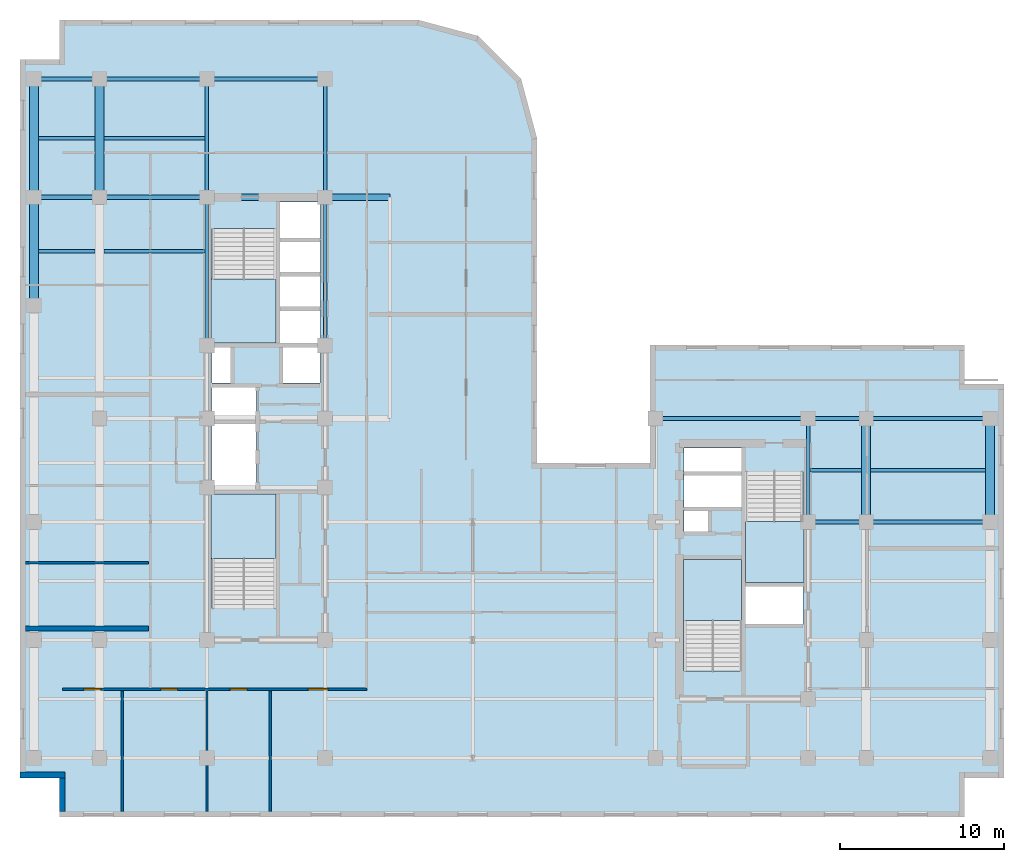
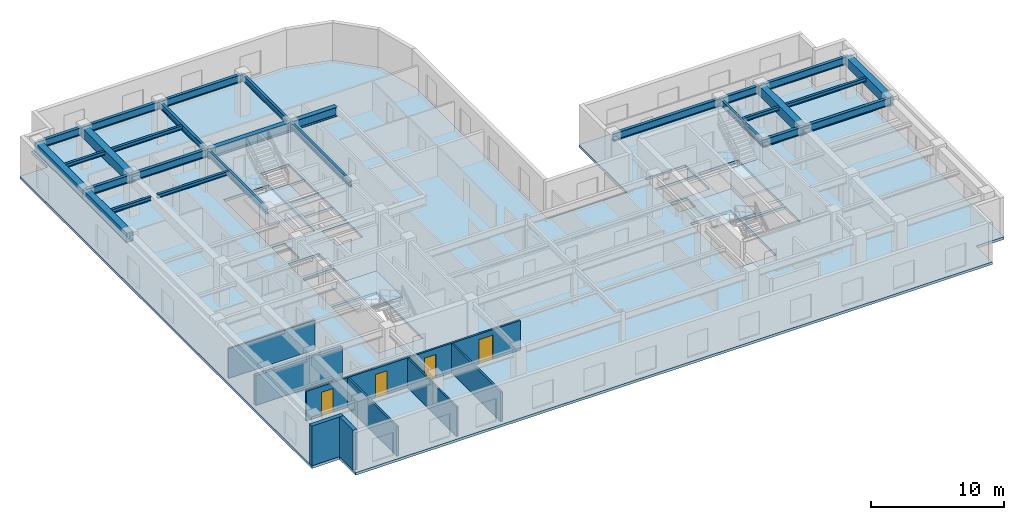
# One storey, part 3 of 11: 27 beams, 8 walls, 5 slabs, 4 doors, 4 openings, 4 elements without a shape of their own.
"""IFC4 building model written with IfcOpenShell, lengths in metres."""

from ifc_helpers import new_model, entity, si_unit, converted_unit, direction, frame, origin_with_axes, origin_2d_with_axis, place, context, subcontext, project, spatial, polyline, rectangle, i_section, outline, extrude, material, layer, layer_set, material_profile, profile_set, type_object, element, fill, aggregate, save


model = new_model("IFC4")

# Units and contexts
model_context = context("Model", 3, precision=1e-05, world=origin_with_axes(), true_north=direction((0.0, 1.0)))
body_context = subcontext(model_context, "Body", "Model", "MODEL_VIEW")
ifc_project = project(units=[si_unit("LENGTHUNIT", "METRE"), si_unit("AREAUNIT", "SQUARE_METRE"), si_unit("VOLUMEUNIT", "CUBIC_METRE"), converted_unit("PLANEANGLEUNIT", "DEGREE", entity("IfcPlaneAngleMeasure", 0.017453292519943295), si_unit("PLANEANGLEUNIT", "RADIAN"), dimensions=[0, 0, 0, 0, 0, 0, 0]), si_unit("MASSUNIT", "GRAM", prefix="KILO"), si_unit("THERMODYNAMICTEMPERATUREUNIT", "KELVIN")], contexts=[model_context])

# Site, building, storey
site_placement = place(None, origin_with_axes())
site = spatial("IfcSite", under=ifc_project, at=site_placement, CompositionType="ELEMENT")
building_placement = place(site_placement, origin_with_axes())
building = spatial("IfcBuilding", under=site, at=building_placement, Name="Varnlund Millrace Tower", CompositionType="ELEMENT")
storey_placement = place(building_placement, frame((0.0, 0.0, 212.1), z_axis=(0.0, 0.0, 1.0), x_axis=(1.0, 0.0, 0.0)))
storey = spatial("IfcBuildingStorey", under=building, at=storey_placement, Name="L52", CompositionType="ELEMENT", Elevation=212.1)

# Beams
ifc_material_1 = material(Name="Steel ASTM A992 Grade 50", Category="steel")
ifc_material_profile_1 = material_profile(ifc_material_1, i_section(OverallWidth=0.214, OverallDepth=0.549, WebThickness=0.0147, FlangeThickness=0.0236, FilletRadius=0.015, at=origin_2d_with_axis()), Name="Steel ASTM A992 Grade 50")
ifc_profile_set_1 = profile_set([ifc_material_profile_1], Name="Steel ASTM A992 Grade 50")
beam_type_1 = type_object("IfcBeamType", Name="Type-Beam-W21X93", PredefinedType="BEAM", material=ifc_profile_set_1)
beam_1_placement = place(storey_placement, frame((11.4, 28.75, 3.3855), z_axis=(0.0, 1.0, 0.0), x_axis=(-1.0, 0.0, 0.0)))
element("IfcBeam", 1, at=beam_1_placement, inside=storey, type_object=beam_type_1, Name="Type-Beam-W21X93", PredefinedType="BEAM", context=body_context, shape_type="SweptSolid", body=[
    extrude(i_section(OverallWidth=0.214, OverallDepth=0.549, WebThickness=0.0147, FlangeThickness=0.0236, FilletRadius=0.015, at=origin_2d_with_axis()), origin_with_axes(), (0.0, 0.0, 1.0), 9.05),
])
beam_2_placement = place(storey_placement, frame((11.4, 37.8, 3.3855), z_axis=(0.0, 1.0, 0.0), x_axis=(-1.0, 0.0, 0.0)))
element("IfcBeam", 2, at=beam_2_placement, inside=storey, type_object=beam_type_1, Name="Type-Beam-W21X93", PredefinedType="BEAM", context=body_context, shape_type="SweptSolid", body=[
    extrude(i_section(OverallWidth=0.214, OverallDepth=0.549, WebThickness=0.0147, FlangeThickness=0.0236, FilletRadius=0.015, at=origin_2d_with_axis()), origin_with_axes(), (0.0, 0.0, 1.0), 7.2),
])
beam_3_placement = place(storey_placement, frame((18.6, 28.75, 3.3855), z_axis=(0.0, 1.0, 0.0), x_axis=(-1.0, 0.0, 0.0)))
element("IfcBeam", 3, at=beam_3_placement, inside=storey, type_object=beam_type_1, Name="Type-Beam-W21X93", PredefinedType="BEAM", context=body_context, shape_type="SweptSolid", body=[
    extrude(i_section(OverallWidth=0.214, OverallDepth=0.549, WebThickness=0.0147, FlangeThickness=0.0236, FilletRadius=0.015, at=origin_2d_with_axis()), origin_with_axes(), (0.0, 0.0, 1.0), 9.05),
])
beam_4_placement = place(storey_placement, frame((18.6, 37.8, 3.3855), z_axis=(0.0, 1.0, 0.0), x_axis=(-1.0, 0.0, 0.0)))
element("IfcBeam", 4, at=beam_4_placement, inside=storey, type_object=beam_type_1, Name="Type-Beam-W21X93", PredefinedType="BEAM", context=body_context, shape_type="SweptSolid", body=[
    extrude(i_section(OverallWidth=0.214, OverallDepth=0.549, WebThickness=0.0147, FlangeThickness=0.0236, FilletRadius=0.015, at=origin_2d_with_axis()), origin_with_axes(), (0.0, 0.0, 1.0), 7.2),
])
beam_5_placement = place(storey_placement, frame((48.05, 18.0, 3.3855), z_axis=(0.0, 1.0, 0.0), x_axis=(-1.0, 0.0, 0.0)))
element("IfcBeam", 5, at=beam_5_placement, inside=storey, type_object=beam_type_1, Name="Type-Beam-W21X93", PredefinedType="BEAM", context=body_context, shape_type="SweptSolid", body=[
    extrude(i_section(OverallWidth=0.214, OverallDepth=0.549, WebThickness=0.0147, FlangeThickness=0.0236, FilletRadius=0.015, at=origin_2d_with_axis()), origin_with_axes(), (0.0, 0.0, 1.0), 6.3),
])
ifc_material_profile_2 = material_profile(ifc_material_1, i_section(OverallWidth=0.256, OverallDepth=0.693, WebThickness=0.0145, FlangeThickness=0.0236, FilletRadius=0.018, at=origin_2d_with_axis()), Name="Steel ASTM A992 Grade 50")
ifc_profile_set_2 = profile_set([ifc_material_profile_2], Name="Steel ASTM A992 Grade 50")
beam_type_2 = type_object("IfcBeamType", Name="Type-Girder-W27X114", PredefinedType="USERDEFINED", material=ifc_profile_set_2)
beam_6_placement = place(storey_placement, frame((48.05, 18.0, 3.3135), z_axis=(1.0, 0.0, 0.0), x_axis=(0.0, 1.0, 0.0)))
element("IfcBeam", 6, at=beam_6_placement, inside=storey, type_object=beam_type_2, Name="Type-Girder-W27X114", ObjectType="GIRDER", PredefinedType="USERDEFINED", context=body_context, shape_type="SweptSolid", body=[
    extrude(i_section(OverallWidth=0.256, OverallDepth=0.693, WebThickness=0.0145, FlangeThickness=0.0236, FilletRadius=0.018, at=origin_2d_with_axis()), origin_with_axes(), (0.0, 0.0, 1.0), 3.55),
])
beam_7_placement = place(storey_placement, frame((51.6, 18.0, 3.3135), z_axis=(1.0, 0.0, 0.0), x_axis=(0.0, 1.0, 0.0)))
element("IfcBeam", 7, at=beam_7_placement, inside=storey, type_object=beam_type_2, Name="Type-Girder-W27X114", ObjectType="GIRDER", PredefinedType="USERDEFINED", context=body_context, shape_type="SweptSolid", body=[
    extrude(i_section(OverallWidth=0.256, OverallDepth=0.693, WebThickness=0.0145, FlangeThickness=0.0236, FilletRadius=0.018, at=origin_2d_with_axis()), origin_with_axes(), (0.0, 0.0, 1.0), 7.55),
])
beam_8_placement = place(storey_placement, frame((38.75, 24.3, 3.3135), z_axis=(1.0, 0.0, 0.0), x_axis=(0.0, 1.0, 0.0)))
element("IfcBeam", 8, at=beam_8_placement, inside=storey, type_object=beam_type_2, Name="Type-Girder-W27X114", ObjectType="GIRDER", PredefinedType="USERDEFINED", context=body_context, shape_type="SweptSolid", body=[
    extrude(i_section(OverallWidth=0.256, OverallDepth=0.693, WebThickness=0.0145, FlangeThickness=0.0236, FilletRadius=0.018, at=origin_2d_with_axis()), origin_with_axes(), (0.0, 0.0, 1.0), 9.3),
])
beam_9_placement = place(storey_placement, frame((48.05, 24.3, 3.3135), z_axis=(1.0, 0.0, 0.0), x_axis=(0.0, 1.0, 0.0)))
element("IfcBeam", 9, at=beam_9_placement, inside=storey, type_object=beam_type_2, Name="Type-Girder-W27X114", ObjectType="GIRDER", PredefinedType="USERDEFINED", context=body_context, shape_type="SweptSolid", body=[
    extrude(i_section(OverallWidth=0.256, OverallDepth=0.693, WebThickness=0.0145, FlangeThickness=0.0236, FilletRadius=0.018, at=origin_2d_with_axis()), origin_with_axes(), (0.0, 0.0, 1.0), 3.55),
])
beam_10_placement = place(storey_placement, frame((51.6, 24.3, 3.3135), z_axis=(1.0, 0.0, 0.0), x_axis=(0.0, 1.0, 0.0)))
element("IfcBeam", 10, at=beam_10_placement, inside=storey, type_object=beam_type_2, Name="Type-Girder-W27X114", ObjectType="GIRDER", PredefinedType="USERDEFINED", context=body_context, shape_type="SweptSolid", body=[
    extrude(i_section(OverallWidth=0.256, OverallDepth=0.693, WebThickness=0.0145, FlangeThickness=0.0236, FilletRadius=0.018, at=origin_2d_with_axis()), origin_with_axes(), (0.0, 0.0, 1.0), 7.55),
])
beam_11_placement = place(storey_placement, frame((0.85, 37.8, 3.3135), z_axis=(1.0, 0.0, 0.0), x_axis=(0.0, 1.0, 0.0)))
element("IfcBeam", 11, at=beam_11_placement, inside=storey, type_object=beam_type_2, Name="Type-Girder-W27X114", ObjectType="GIRDER", PredefinedType="USERDEFINED", context=body_context, shape_type="SweptSolid", body=[
    extrude(i_section(OverallWidth=0.256, OverallDepth=0.693, WebThickness=0.0145, FlangeThickness=0.0236, FilletRadius=0.018, at=origin_2d_with_axis()), origin_with_axes(), (0.0, 0.0, 1.0), 4.0),
])
beam_12_placement = place(storey_placement, frame((4.85, 37.8, 3.3135), z_axis=(1.0, 0.0, 0.0), x_axis=(0.0, 1.0, 0.0)))
element("IfcBeam", 12, at=beam_12_placement, inside=storey, type_object=beam_type_2, Name="Type-Girder-W27X114", ObjectType="GIRDER", PredefinedType="USERDEFINED", context=body_context, shape_type="SweptSolid", body=[
    extrude(i_section(OverallWidth=0.256, OverallDepth=0.693, WebThickness=0.0145, FlangeThickness=0.0236, FilletRadius=0.018, at=origin_2d_with_axis()), origin_with_axes(), (0.0, 0.0, 1.0), 6.55),
])
beam_13_placement = place(storey_placement, frame((0.85, 45.0, 3.3135), z_axis=(1.0, 0.0, 0.0), x_axis=(0.0, 1.0, 0.0)))
element("IfcBeam", 13, at=beam_13_placement, inside=storey, type_object=beam_type_2, Name="Type-Girder-W27X114", ObjectType="GIRDER", PredefinedType="USERDEFINED", context=body_context, shape_type="SweptSolid", body=[
    extrude(i_section(OverallWidth=0.256, OverallDepth=0.693, WebThickness=0.0145, FlangeThickness=0.0236, FilletRadius=0.018, at=origin_2d_with_axis()), origin_with_axes(), (0.0, 0.0, 1.0), 4.0),
])
beam_14_placement = place(storey_placement, frame((4.85, 45.0, 3.3135), z_axis=(1.0, 0.0, 0.0), x_axis=(0.0, 1.0, 0.0)))
element("IfcBeam", 14, at=beam_14_placement, inside=storey, type_object=beam_type_2, Name="Type-Girder-W27X114", ObjectType="GIRDER", PredefinedType="USERDEFINED", context=body_context, shape_type="SweptSolid", body=[
    extrude(i_section(OverallWidth=0.256, OverallDepth=0.693, WebThickness=0.0145, FlangeThickness=0.0236, FilletRadius=0.018, at=origin_2d_with_axis()), origin_with_axes(), (0.0, 0.0, 1.0), 6.55),
])
beam_15_placement = place(storey_placement, frame((11.4, 45.0, 3.3135), z_axis=(1.0, 0.0, 0.0), x_axis=(0.0, 1.0, 0.0)))
element("IfcBeam", 15, at=beam_15_placement, inside=storey, type_object=beam_type_2, Name="Type-Girder-W27X114", ObjectType="GIRDER", PredefinedType="USERDEFINED", context=body_context, shape_type="SweptSolid", body=[
    extrude(i_section(OverallWidth=0.256, OverallDepth=0.693, WebThickness=0.0145, FlangeThickness=0.0236, FilletRadius=0.018, at=origin_2d_with_axis()), origin_with_axes(), (0.0, 0.0, 1.0), 7.2),
])
ifc_material_profile_3 = material_profile(ifc_material_1, i_section(OverallWidth=0.399, OverallDepth=0.855, WebThickness=0.0182, FlangeThickness=0.0292, FilletRadius=0.022, at=origin_2d_with_axis()), Name="Steel ASTM A992 Grade 50")
ifc_profile_set_3 = profile_set([ifc_material_profile_3], Name="Steel ASTM A992 Grade 50")
beam_type_3 = type_object("IfcBeamType", Name="Type-Girder-W33X201", PredefinedType="USERDEFINED", material=ifc_profile_set_3)
beam_16_placement = place(storey_placement, frame((11.4, 37.8, 3.2325), z_axis=(1.0, 0.0, 0.0), x_axis=(0.0, 1.0, 0.0)))
element("IfcBeam", 16, at=beam_16_placement, inside=storey, type_object=beam_type_3, Name="Type-Girder-W33X201", ObjectType="GIRDER", PredefinedType="USERDEFINED", context=body_context, shape_type="SweptSolid", body=[
    extrude(i_section(OverallWidth=0.399, OverallDepth=0.855, WebThickness=0.0182, FlangeThickness=0.0292, FilletRadius=0.022, at=origin_2d_with_axis()), origin_with_axes(), (0.0, 0.0, 1.0), 11.15),
])
ifc_material_profile_4 = material_profile(ifc_material_1, i_section(OverallWidth=0.204, OverallDepth=0.35, WebThickness=0.0086, FlangeThickness=0.0151, FilletRadius=0.013, at=origin_2d_with_axis()), Name="Steel ASTM A992 Grade 50")
ifc_profile_set_4 = profile_set([ifc_material_profile_4], Name="Steel ASTM A992 Grade 50")
beam_type_4 = type_object("IfcBeamType", Name="Type-Joist-W14X48", PredefinedType="JOIST", material=ifc_profile_set_4)
for number, where, z_axis, x_axis, name in (
    (17, (1.125, 34.5, 3.485), (1.0, 0.0, 0.0), (0.0, 1.0, 0.0), "Type-Joist-W14X48"),
    (18, (1.125, 41.4, 3.485), (1.0, 0.0, 0.0), (0.0, 1.0, 0.0), "Type-Joist-W14X48"),
):
    element("IfcBeam", number, at=place(storey_placement, frame(where, z_axis=z_axis, x_axis=x_axis)), inside=storey, type_object=beam_type_4, Name=name, PredefinedType="JOIST", context=body_context, shape_type="SweptSolid", body=[
        extrude(i_section(OverallWidth=0.204, OverallDepth=0.35, WebThickness=0.0086, FlangeThickness=0.0151, FilletRadius=0.013, at=origin_2d_with_axis()), origin_with_axes(), (0.0, 0.0, 1.0), 3.45),
    ])
for number, where, z_axis, x_axis, name in (
    (19, (5.125, 34.5, 3.485), (1.0, 0.0, 0.0), (0.0, 1.0, 0.0), "Type-Joist-W14X48"),
    (20, (5.125, 41.4, 3.485), (1.0, 0.0, 0.0), (0.0, 1.0, 0.0), "Type-Joist-W14X48"),
):
    element("IfcBeam", number, at=place(storey_placement, frame(where, z_axis=z_axis, x_axis=x_axis)), inside=storey, type_object=beam_type_4, Name=name, PredefinedType="JOIST", context=body_context, shape_type="SweptSolid", body=[
        extrude(i_section(OverallWidth=0.204, OverallDepth=0.35, WebThickness=0.0086, FlangeThickness=0.0151, FilletRadius=0.013, at=origin_2d_with_axis()), origin_with_axes(), (0.0, 0.0, 1.0), 6.168),
    ])
beam_17_placement = place(storey_placement, frame((48.157, 21.15, 3.485), z_axis=(1.0, 0.0, 0.0), x_axis=(0.0, 1.0, 0.0)))
element("IfcBeam", 21, at=beam_17_placement, inside=storey, type_object=beam_type_4, Name="Type-Joist-W14X48", PredefinedType="JOIST", context=body_context, shape_type="SweptSolid", body=[
    extrude(i_section(OverallWidth=0.204, OverallDepth=0.35, WebThickness=0.0086, FlangeThickness=0.0151, FilletRadius=0.013, at=origin_2d_with_axis()), origin_with_axes(), (0.0, 0.0, 1.0), 3.168),
])
beam_18_placement = place(storey_placement, frame((51.875, 21.15, 3.485), z_axis=(1.0, 0.0, 0.0), x_axis=(0.0, 1.0, 0.0)))
element("IfcBeam", 22, at=beam_18_placement, inside=storey, type_object=beam_type_4, Name="Type-Joist-W14X48", PredefinedType="JOIST", context=body_context, shape_type="SweptSolid", body=[
    extrude(i_section(OverallWidth=0.204, OverallDepth=0.35, WebThickness=0.0086, FlangeThickness=0.0151, FilletRadius=0.013, at=origin_2d_with_axis()), origin_with_axes(), (0.0, 0.0, 1.0), 7.0),
])
ifc_material_2 = material(Name="Concrete C60/75", Category="concrete")
ifc_material_profile_5 = material_profile(ifc_material_2, rectangle(XDim=0.55, YDim=0.85, at=origin_2d_with_axis()), Name="Concrete C60/75")
ifc_profile_set_5 = profile_set([ifc_material_profile_5], Name="Concrete C60/75")
beam_type_5 = type_object("IfcBeamType", Name="Type-Spandrel-RC550X850", PredefinedType="SPANDREL", material=ifc_profile_set_5)
beam_19_placement = place(storey_placement, frame((0.85, 31.2, 3.235), z_axis=(0.0, 1.0, 0.0), x_axis=(-1.0, 0.0, 0.0)))
element("IfcBeam", 23, at=beam_19_placement, inside=storey, type_object=beam_type_5, Name="Type-Spandrel-RC550X850", PredefinedType="SPANDREL", context=body_context, shape_type="SweptSolid", body=[
    extrude(rectangle(XDim=0.55, YDim=0.85, at=origin_2d_with_axis()), origin_with_axes(), (0.0, 0.0, 1.0), 6.6),
])
for number, where, z_axis, x_axis, name in (
    (24, (0.85, 37.8, 3.235), (0.0, 1.0, 0.0), (-1.0, 0.0, 0.0), "Type-Spandrel-RC550X850"),
    (25, (4.85, 37.8, 3.235), (0.0, 1.0, 0.0), (-1.0, 0.0, 0.0), "Type-Spandrel-RC550X850"),
):
    element("IfcBeam", number, at=place(storey_placement, frame(where, z_axis=z_axis, x_axis=x_axis)), inside=storey, type_object=beam_type_5, Name=name, PredefinedType="SPANDREL", context=body_context, shape_type="SweptSolid", body=[
        extrude(rectangle(XDim=0.55, YDim=0.85, at=origin_2d_with_axis()), origin_with_axes(), (0.0, 0.0, 1.0), 7.2),
    ])
for number, where, z_axis, x_axis, name in (
    (26, (51.6, 18.0, 3.235), (0.0, 1.0, 0.0), (-1.0, 0.0, 0.0), "Type-Spandrel-RC550X850"),
    (27, (59.15, 18.0, 3.235), (0.0, 1.0, 0.0), (-1.0, 0.0, 0.0), "Type-Spandrel-RC550X850"),
):
    element("IfcBeam", number, at=place(storey_placement, frame(where, z_axis=z_axis, x_axis=x_axis)), inside=storey, type_object=beam_type_5, Name=name, PredefinedType="SPANDREL", context=body_context, shape_type="SweptSolid", body=[
        extrude(rectangle(XDim=0.55, YDim=0.85, at=origin_2d_with_axis()), origin_with_axes(), (0.0, 0.0, 1.0), 6.3),
    ])

# Slab
ifc_layer_1 = layer(ifc_material_2, 0.24, Name="Concrete C60/75")
ifc_layer_set_1 = layer_set([ifc_layer_1], Name="Concrete C60/75")
slab_type_1 = type_object("IfcSlabType", Name="Type-Deck-Plate-Typical-240", PredefinedType="FLOOR", material=ifc_layer_set_1)
slab_1_placement = place(storey_placement, frame((0.0, 0.0, -0.24), z_axis=(0.0, 0.0, 1.0), x_axis=(1.0, 0.0, 0.0)))
element("IfcSlab", 28, at=slab_1_placement, inside=storey, type_object=slab_type_1, Name="Type-Deck-Plate-Typical-240", PredefinedType="FLOOR", context=body_context, shape_type="SweptSolid", body=[
    extrude(outline(polyline([(31.525, 21.6), (31.525, 41.4), (30.56, 45.0), (27.925, 47.635), (24.325, 48.6), (2.4, 48.6), (2.4, 46.2), (0.0, 46.2), (0.0, 2.4), (2.4, 2.4), (2.4, 0.0), (57.6, 0.0), (57.6, 2.4), (60.0, 2.4), (60.0, 26.4), (57.6, 26.4), (57.6, 28.8), (38.4, 28.8), (38.4, 21.6), (31.525, 21.6)]), holes=[polyline([(15.6, 12.715), (11.7, 12.715), (11.7, 19.7), (15.6, 19.7), (15.6, 12.715)]), polyline([(14.38, 23.98), (14.38, 19.94), (11.7, 19.94), (11.7, 23.98), (14.38, 23.98)]), polyline([(14.38, 24.24), (11.7, 24.24), (11.7, 26.2), (14.38, 26.2), (14.38, 24.24)]), polyline([(12.84, 26.46), (11.7, 26.46), (11.7, 28.65), (12.84, 28.65), (12.84, 26.46)]), polyline([(18.3, 28.9), (15.84, 28.9), (15.84, 30.98), (18.3, 30.98), (18.3, 28.9)]), polyline([(18.3, 31.02), (15.84, 31.02), (15.84, 33.08), (18.3, 33.08), (18.3, 31.02)]), polyline([(15.6, 28.9), (11.7, 28.9), (11.7, 35.885), (15.6, 35.885), (15.6, 28.9)]), polyline([(18.3, 33.12), (15.84, 33.12), (15.84, 35.18), (18.3, 35.18), (18.3, 33.12)]), polyline([(44.0, 8.915), (40.5, 8.915), (40.5, 15.7), (44.0, 15.7), (44.0, 8.915)]), polyline([(47.75, 11.74), (44.25, 11.74), (44.25, 14.06), (47.75, 14.06), (47.75, 11.74)]), polyline([(47.75, 14.3), (44.25, 14.3), (44.25, 21.085), (47.75, 21.085), (47.75, 14.3)]), polyline([(41.95, 17.42), (40.5, 17.42), (40.5, 18.72), (41.95, 18.72), (41.95, 17.42)]), polyline([(44.0, 18.88), (40.5, 18.88), (40.5, 20.94), (44.0, 20.94), (44.0, 18.88)]), polyline([(44.0, 21.0), (40.5, 21.0), (40.5, 22.5), (44.0, 22.5), (44.0, 21.0)]), polyline([(16.04, 26.46), (16.04, 28.65), (18.3, 28.65), (18.3, 26.46), (16.04, 26.46)]), polyline([(15.84, 35.22), (15.84, 37.5), (18.3, 37.5), (18.3, 35.22), (15.84, 35.22)])]), origin_with_axes(), (0.0, 0.0, 1.0), 0.24),
])

# Stair, slab
ifc_material_3 = material(Name="Concrete C50/60", Category="concrete")
stair_type_1 = type_object("IfcStairType", Name="Type-Stair-Dogleg-185-390", PredefinedType="HALF_TURN_STAIR", material=ifc_material_3)
stair_1_placement = place(storey_placement, origin_with_axes())
stair_1 = element("IfcStair", 29, at=stair_1_placement, inside=storey, type_object=stair_type_1, Name="Type-Stair-Dogleg-185-390", PredefinedType="HALF_TURN_STAIR")
ifc_layer_2 = layer(ifc_material_3, 0.2, Name="Concrete C50/60")
ifc_layer_set_2 = layer_set([ifc_layer_2], Name="Concrete C50/60")
slab_type_2 = type_object("IfcSlabType", Name="Type-StairLanding-200", PredefinedType="LANDING", material=ifc_layer_set_2)
slab_2_placement = place(storey_placement, frame((0.0, 0.0, 1.75), z_axis=(0.0, 0.0, 1.0), x_axis=(1.0, 0.0, 0.0)))
slab_2 = element("IfcSlab", 30, at=slab_2_placement, type_object=slab_type_2, Name="ST-A1 landing 1", PredefinedType="LANDING", context=body_context, shape_type="SweptSolid", body=[
    extrude(outline(polyline([(15.6, 15.78), (15.6, 19.7), (11.65, 19.7), (11.65, 15.78), (15.6, 15.78)])), origin_with_axes(), (0.0, 0.0, 1.0), 0.2),
])
aggregate(stair_1, [slab_2])

stair_2_placement = place(storey_placement, origin_with_axes())
stair_2 = element("IfcStair", 31, at=stair_2_placement, inside=storey, type_object=stair_type_1, Name="Type-Stair-Dogleg-185-390", PredefinedType="HALF_TURN_STAIR")
slab_3_placement = place(storey_placement, frame((0.0, 0.0, 1.75), z_axis=(0.0, 0.0, 1.0), x_axis=(1.0, 0.0, 0.0)))
slab_3 = element("IfcSlab", 32, at=slab_3_placement, type_object=slab_type_2, Name="ST-A2 landing 1", PredefinedType="LANDING", context=body_context, shape_type="SweptSolid", body=[
    extrude(outline(polyline([(11.65, 32.82), (11.65, 28.9), (15.6, 28.9), (15.6, 32.82), (11.65, 32.82)])), origin_with_axes(), (0.0, 0.0, 1.0), 0.2),
])
aggregate(stair_2, [slab_3])

stair_type_2 = type_object("IfcStairType", Name="Type-Stair-Dogleg-165-390", PredefinedType="HALF_TURN_STAIR", material=ifc_material_3)
stair_3_placement = place(storey_placement, origin_with_axes())
stair_3 = element("IfcStair", 33, at=stair_3_placement, inside=storey, type_object=stair_type_2, Name="Type-Stair-Dogleg-165-390", PredefinedType="HALF_TURN_STAIR")
slab_4_placement = place(storey_placement, frame((0.0, 0.0, 1.75), z_axis=(0.0, 0.0, 1.0), x_axis=(1.0, 0.0, 0.0)))
slab_4 = element("IfcSlab", 34, at=slab_4_placement, type_object=slab_type_2, Name="ST-B1 landing 1", PredefinedType="LANDING", context=body_context, shape_type="SweptSolid", body=[
    extrude(outline(polyline([(44.0, 11.98), (44.0, 15.7), (40.45, 15.7), (40.45, 11.98), (44.0, 11.98)])), origin_with_axes(), (0.0, 0.0, 1.0), 0.2),
])
aggregate(stair_3, [slab_4])

stair_4_placement = place(storey_placement, origin_with_axes())
stair_4 = element("IfcStair", 35, at=stair_4_placement, inside=storey, type_object=stair_type_2, Name="Type-Stair-Dogleg-165-390", PredefinedType="HALF_TURN_STAIR")
slab_5_placement = place(storey_placement, frame((0.0, 0.0, 1.75), z_axis=(0.0, 0.0, 1.0), x_axis=(1.0, 0.0, 0.0)))
slab_5 = element("IfcSlab", 36, at=slab_5_placement, type_object=slab_type_2, Name="ST-B2 landing 1", PredefinedType="LANDING", context=body_context, shape_type="SweptSolid", body=[
    extrude(outline(polyline([(44.25, 18.02), (44.25, 14.3), (47.8, 14.3), (47.8, 18.02), (44.25, 18.02)])), origin_with_axes(), (0.0, 0.0, 1.0), 0.2),
])
aggregate(stair_4, [slab_5])

# Walls
ifc_material_4 = material(Name="Precast concrete C50/60", Category="concrete")
ifc_layer_3 = layer(ifc_material_4, 0.34, Name="Precast concrete C50/60")
ifc_layer_set_3 = layer_set([ifc_layer_3], Name="Precast concrete C50/60")
wall_type_1 = type_object("IfcWallType", Name="Type-ExtWall-Precast-Upper-340", PredefinedType="SOLIDWALL", material=ifc_layer_set_3)
wall_1_placement = place(storey_placement, frame((2.57, 0.34, 0.0), z_axis=(0.0, 0.0, 1.0), x_axis=(0.0, 1.0, 0.0)))
element("IfcWall", 37, at=wall_1_placement, inside=storey, type_object=wall_type_1, Name="Type-ExtWall-Precast-Upper-340", PredefinedType="SOLIDWALL", context=body_context, shape_type="SweptSolid", body=[
    extrude(outline(polyline([(0.0, -0.17), (2.06, -0.17), (2.06, 0.17), (0.0, 0.17), (0.0, -0.17)])), origin_with_axes(), (0.0, 0.0, 1.0), 3.66),
])
wall_2_placement = place(storey_placement, frame((2.74, 2.57, 0.0), z_axis=(0.0, 0.0, 1.0), x_axis=(-1.0, 0.0, 0.0)))
element("IfcWall", 38, at=wall_2_placement, inside=storey, type_object=wall_type_1, Name="Type-ExtWall-Precast-Upper-340", PredefinedType="SOLIDWALL", context=body_context, shape_type="SweptSolid", body=[
    extrude(outline(polyline([(0.0, -0.17), (2.74, -0.17), (2.74, 0.17), (0.0, 0.17), (0.0, -0.17)])), origin_with_axes(), (0.0, 0.0, 1.0), 3.66),
])
ifc_material_5 = material(Name="Double-stud STC-60 conference acoustic partition", Category="gypsum")
ifc_layer_4 = layer(ifc_material_5, 0.28, Name="Double-stud STC-60 conference acoustic partition")
ifc_layer_set_4 = layer_set([ifc_layer_4], Name="Double-stud STC-60 conference acoustic partition")
wall_type_2 = type_object("IfcWallType", Name="Type-Partition-Acoustic-280", PredefinedType="PARTITIONING", material=ifc_layer_set_4)
wall_3_placement = place(storey_placement, frame((0.335, 11.499, 0.0), z_axis=(0.0, 0.0, 1.0), x_axis=(1.0, 0.0, 0.0)))
element("IfcWall", 39, at=wall_3_placement, inside=storey, type_object=wall_type_2, Name="Type-Partition-Acoustic-280", PredefinedType="PARTITIONING", context=body_context, shape_type="SweptSolid", body=[
    extrude(outline(polyline([(0.0, -0.14), (7.495, -0.14), (7.495, 0.14), (0.0, 0.14), (0.0, -0.14)])), origin_with_axes(), (0.0, 0.0, 1.0), 2.7),
])

# Wall, openings, doors
ifc_material_6 = material(Name="Fire-rated gypsum board on cold-formed steel framing", Category="steel")
ifc_layer_5 = layer(ifc_material_6, 0.16, Name="Fire-rated gypsum board on cold-formed steel framing")
ifc_layer_set_5 = layer_set([ifc_layer_5], Name="Fire-rated gypsum board on cold-formed steel framing")
wall_type_3 = type_object("IfcWallType", Name="Type-Partition-Corridor-160", PredefinedType="PARTITIONING", material=ifc_layer_set_5)
wall_4_placement = place(storey_placement, frame((2.6, 7.8, 0.0), z_axis=(0.0, 0.0, 1.0), x_axis=(1.0, 0.0, 0.0)))
wall_4 = element("IfcWall", 40, at=wall_4_placement, inside=storey, type_object=wall_type_3, Name="Type-Partition-Corridor-160", PredefinedType="PARTITIONING", context=body_context, shape_type="SweptSolid", body=[
    extrude(outline(polyline([(0.0, -0.08), (18.55, -0.08), (18.55, 0.08), (0.0, 0.08), (0.0, -0.08)])), origin_with_axes(), (0.0, 0.0, 1.0), 2.7),
])
opening_1_placement = place(wall_4_placement, frame((1.8175, 0.0, 0.0), z_axis=(0.0, 0.0, 1.0), x_axis=(1.0, 0.0, 0.0)))
opening_1 = element("IfcOpeningElement", 41, at=opening_1_placement, cuts=wall_4, Name="Opening L52:DR-WAS-01", PredefinedType="OPENING", context=body_context, shape_type="SweptSolid", body=[
    extrude(rectangle(XDim=1.0, YDim=0.18, at=origin_2d_with_axis()), origin_with_axes(), (0.0, 0.0, 1.0), 2.15),
])
opening_2_placement = place(wall_4_placement, frame((6.503, 0.0, 0.0), z_axis=(0.0, 0.0, 1.0), x_axis=(1.0, 0.0, 0.0)))
opening_2 = element("IfcOpeningElement", 42, at=opening_2_placement, cuts=wall_4, Name="Opening L52:DR-WAS-02", PredefinedType="OPENING", context=body_context, shape_type="SweptSolid", body=[
    extrude(rectangle(XDim=1.0, YDim=0.18, at=origin_2d_with_axis()), origin_with_axes(), (0.0, 0.0, 1.0), 2.15),
])
opening_3_placement = place(wall_4_placement, frame((10.728, 0.0, 0.0), z_axis=(0.0, 0.0, 1.0), x_axis=(1.0, 0.0, 0.0)))
opening_3 = element("IfcOpeningElement", 43, at=opening_3_placement, cuts=wall_4, Name="Opening L52:DR-WAS-03", PredefinedType="OPENING", context=body_context, shape_type="SweptSolid", body=[
    extrude(rectangle(XDim=1.0, YDim=0.18, at=origin_2d_with_axis()), origin_with_axes(), (0.0, 0.0, 1.0), 2.15),
])
opening_4_placement = place(wall_4_placement, frame((15.578, 0.0, 0.0), z_axis=(0.0, 0.0, 1.0), x_axis=(1.0, 0.0, 0.0)))
opening_4 = element("IfcOpeningElement", 44, at=opening_4_placement, cuts=wall_4, Name="Opening L52:DR-WAS-04", PredefinedType="OPENING", context=body_context, shape_type="SweptSolid", body=[
    extrude(rectangle(XDim=1.2, YDim=0.18, at=origin_2d_with_axis()), origin_with_axes(), (0.0, 0.0, 1.0), 2.2),
])
ifc_material_7 = material(Name="Wide executive white oak acoustic door")
door_type_1 = type_object("IfcDoorType", Name="Type-IntDoor-Exec-1200X2200", OperationType="NOTDEFINED", PredefinedType="DOOR", material=ifc_material_7)
door_1_placement = place(wall_4_placement, frame((15.578, 0.0, 0.0), z_axis=(0.0, 0.0, 1.0), x_axis=(1.0, 0.0, 0.0)))
door_1 = element("IfcDoor", 45, at=door_1_placement, inside=storey, type_object=door_type_1, Name="Type-IntDoor-Exec-1200X2200", OperationType="SINGLE_SWING_RIGHT", OverallHeight=2.2, OverallWidth=1.2, PredefinedType="DOOR", context=body_context, shape_type="SweptSolid", body=[
    extrude(rectangle(XDim=1.2, YDim=0.09, at=origin_2d_with_axis()), origin_with_axes(), (0.0, 0.0, 1.0), 2.2),
])
fill(opening_4, door_1)
ifc_material_8 = material(Name="Solid-core white oak and bronze frame door")
door_type_2 = type_object("IfcDoorType", Name="Type-IntDoor-Office-1000X2150", OperationType="NOTDEFINED", PredefinedType="DOOR", material=ifc_material_8)
door_2_placement = place(wall_4_placement, frame((1.8175, 0.0, 0.0), z_axis=(0.0, 0.0, 1.0), x_axis=(1.0, 0.0, 0.0)))
door_2 = element("IfcDoor", 46, at=door_2_placement, inside=storey, type_object=door_type_2, Name="Type-IntDoor-Office-1000X2150", OperationType="SINGLE_SWING_LEFT", OverallHeight=2.15, OverallWidth=1.0, PredefinedType="DOOR", context=body_context, shape_type="SweptSolid", body=[
    extrude(rectangle(XDim=1.0, YDim=0.09, at=origin_2d_with_axis()), origin_with_axes(), (0.0, 0.0, 1.0), 2.15),
])
fill(opening_1, door_2)
door_3_placement = place(wall_4_placement, frame((6.503, 0.0, 0.0), z_axis=(0.0, 0.0, 1.0), x_axis=(1.0, 0.0, 0.0)))
door_3 = element("IfcDoor", 47, at=door_3_placement, inside=storey, type_object=door_type_2, Name="Type-IntDoor-Office-1000X2150", OperationType="SINGLE_SWING_RIGHT", OverallHeight=2.15, OverallWidth=1.0, PredefinedType="DOOR", context=body_context, shape_type="SweptSolid", body=[
    extrude(rectangle(XDim=1.0, YDim=0.09, at=origin_2d_with_axis()), origin_with_axes(), (0.0, 0.0, 1.0), 2.15),
])
fill(opening_2, door_3)
door_4_placement = place(wall_4_placement, frame((10.728, 0.0, 0.0), z_axis=(0.0, 0.0, 1.0), x_axis=(1.0, 0.0, 0.0)))
door_4 = element("IfcDoor", 48, at=door_4_placement, inside=storey, type_object=door_type_2, Name="Type-IntDoor-Office-1000X2150", OperationType="SINGLE_SWING_LEFT", OverallHeight=2.15, OverallWidth=1.0, PredefinedType="DOOR", context=body_context, shape_type="SweptSolid", body=[
    extrude(rectangle(XDim=1.0, YDim=0.09, at=origin_2d_with_axis()), origin_with_axes(), (0.0, 0.0, 1.0), 2.15),
])
fill(opening_3, door_4)

# Walls
ifc_material_9 = material(Name="Acoustic STC-50 gypsum board partition", Category="gypsum")
ifc_layer_6 = layer(ifc_material_9, 0.15, Name="Acoustic STC-50 gypsum board partition")
ifc_layer_set_6 = layer_set([ifc_layer_6], Name="Acoustic STC-50 gypsum board partition")
wall_type_4 = type_object("IfcWallType", Name="Type-Partition-Demising-150", PredefinedType="PARTITIONING", material=ifc_layer_set_6)
for number, where, z_axis, x_axis, name in (
    (49, (6.245, 0.335, 0.0), (0.0, 0.0, 1.0), (0.0, 1.0, 0.0), "Type-Partition-Demising-150"),
    (50, (15.256, 0.335, 0.0), (0.0, 0.0, 1.0), (0.0, 1.0, 0.0), "Type-Partition-Demising-150"),
):
    element("IfcWall", number, at=place(storey_placement, frame(where, z_axis=z_axis, x_axis=x_axis)), inside=storey, type_object=wall_type_4, Name=name, PredefinedType="PARTITIONING", context=body_context, shape_type="SweptSolid", body=[
        extrude(outline(polyline([(0.0, -0.075), (7.365, -0.075), (7.365, 0.075), (0.0, 0.075), (0.0, -0.075)])), origin_with_axes(), (0.0, 0.0, 1.0), 2.7),
    ])
ifc_material_10 = material(Name="Gypsum board tenant partition", Category="gypsum")
ifc_layer_7 = layer(ifc_material_10, 0.125, Name="Gypsum board tenant partition")
ifc_layer_set_7 = layer_set([ifc_layer_7], Name="Gypsum board tenant partition")
wall_type_5 = type_object("IfcWallType", Name="Type-Partition-Tenant-125", PredefinedType="PARTITIONING", material=ifc_layer_set_7)
wall_5_placement = place(storey_placement, frame((0.335, 15.511, 0.0), z_axis=(0.0, 0.0, 1.0), x_axis=(1.0, 0.0, 0.0)))
element("IfcWall", 51, at=wall_5_placement, inside=storey, type_object=wall_type_5, Name="Type-Partition-Tenant-125", PredefinedType="PARTITIONING", context=body_context, shape_type="SweptSolid", body=[
    extrude(outline(polyline([(0.0, -0.0625), (7.495, -0.0625), (7.495, 0.0625), (0.0, 0.0625), (0.0, -0.0625)])), origin_with_axes(), (0.0, 0.0, 1.0), 2.7),
])
wall_6_placement = place(storey_placement, frame((11.4, 0.335, 0.0), z_axis=(0.0, 0.0, 1.0), x_axis=(0.0, 1.0, 0.0)))
element("IfcWall", 52, at=wall_6_placement, inside=storey, type_object=wall_type_5, Name="Type-Partition-Tenant-125", PredefinedType="PARTITIONING", context=body_context, shape_type="SweptSolid", body=[
    extrude(outline(polyline([(0.0, -0.0625), (7.365, -0.0625), (7.365, 0.0625), (0.0, 0.0625), (0.0, -0.0625)])), origin_with_axes(), (0.0, 0.0, 1.0), 2.7),
])

save(model, "model.ifc")
